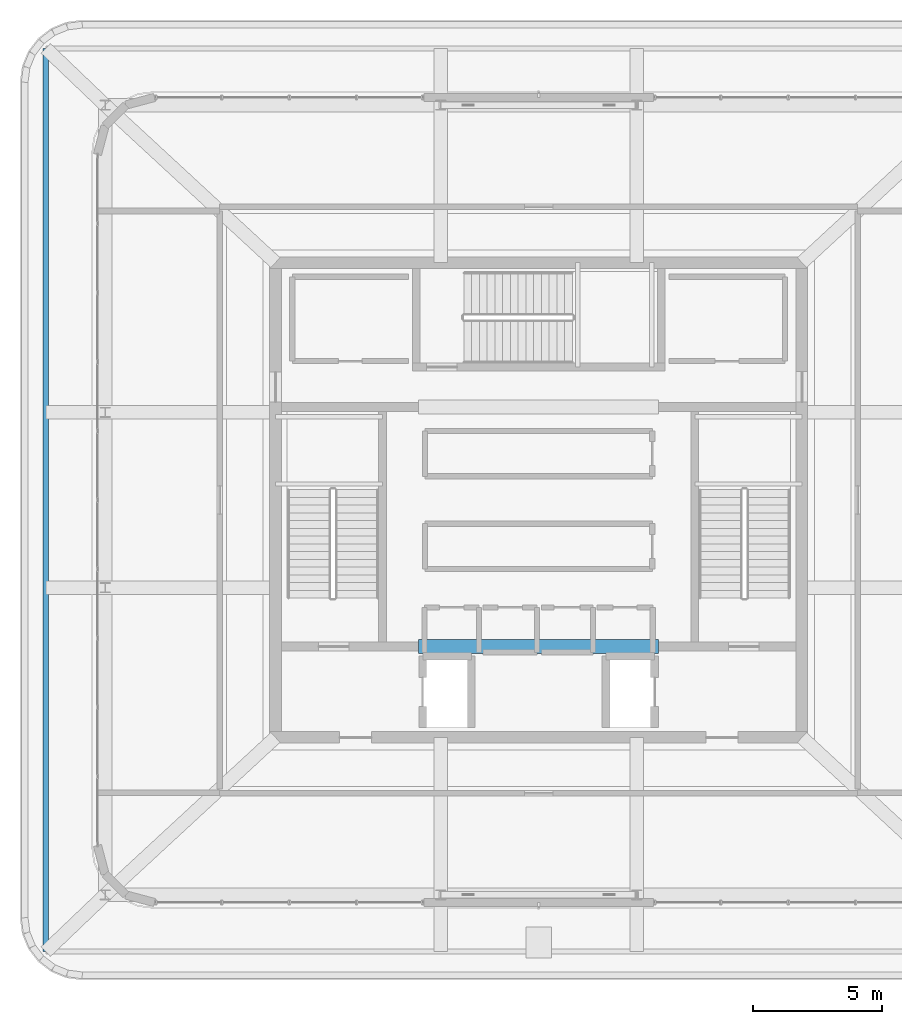
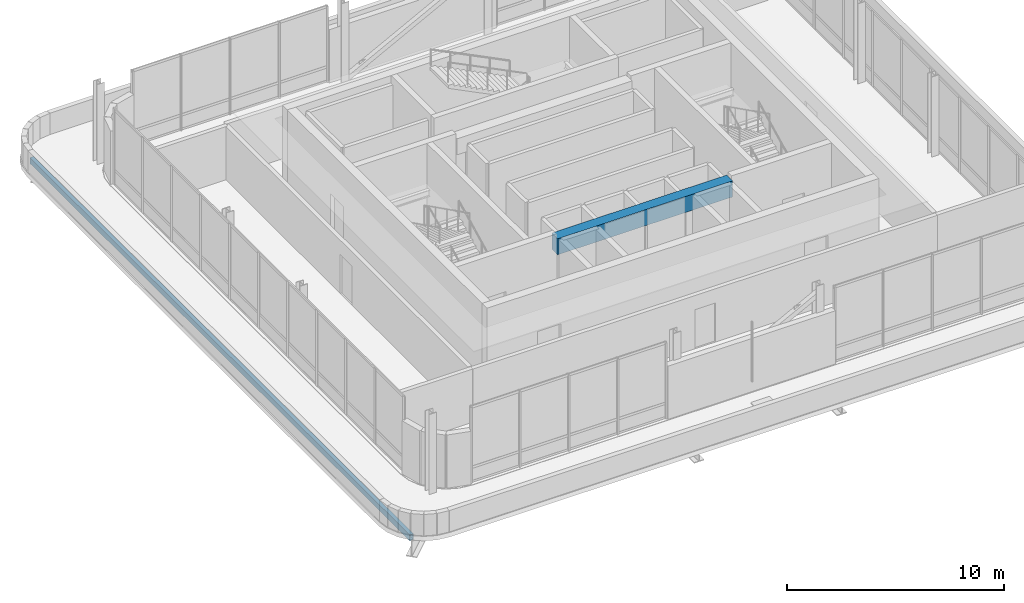
# One storey, part 6 of 28: 2 beams.
"""IFC4 building model written with IfcOpenShell, lengths in metres."""

from ifc_helpers import new_model, si_unit, direction, frame, origin, origin_2d, place, context, subcontext, project, spatial, rectangle, hollow_rectangle, extrude, material, material_profile, profile_set, type_object, element, save


model = new_model("IFC4")

# Units and contexts
model_context = context("Model", 3, precision=1e-05, world=origin(), true_north=direction((0.0, 1.0)))
body_context = subcontext(model_context, "Body", "Model", "MODEL_VIEW")
ifc_project = project(units=[si_unit("LENGTHUNIT", "METRE"), si_unit("AREAUNIT", "SQUARE_METRE"), si_unit("VOLUMEUNIT", "CUBIC_METRE"), si_unit("PLANEANGLEUNIT", "RADIAN"), si_unit("MASSUNIT", "GRAM", prefix="KILO")], contexts=[model_context])

# Site, building, storey
site_placement = place(None, origin())
site = spatial("IfcSite", under=ifc_project, at=site_placement, CompositionType="ELEMENT")
building_placement = place(site_placement, origin())
building = spatial("IfcBuilding", under=site, at=building_placement, Name="Punatoya Terracotta Tower", CompositionType="ELEMENT")
storey_placement = place(building_placement, frame((0.0, 0.0, 352.800048828125)))
storey = spatial("IfcBuildingStorey", under=building, at=storey_placement, Name="L83", CompositionType="ELEMENT", Elevation=352.800048828125)

# Beams
ifc_material_1 = material(Name="Steel S355", Category="steel")
ifc_material_profile_1 = material_profile(ifc_material_1, hollow_rectangle(XDim=0.199951171875, YDim=0.320068359375, WallThickness=0.01611328125, at=origin_2d()))
ifc_profile_set_1 = profile_set([ifc_material_profile_1], Name="Steel S355")
beam_type_1 = type_object("IfcBeamType", Name="BM-CRN-320", PredefinedType="BEAM", material=ifc_profile_set_1)
beam_1_placement = place(storey_placement, frame((-19.10009765625, -17.5, -0.43994140625), z_axis=(0.0, 1.0, 0.0), x_axis=(-1.0, 0.0, 0.0)))
element("IfcBeam", 1, at=beam_1_placement, inside=storey, type_object=beam_type_1, Name="BM-L83-OW", PredefinedType="BEAM", context=body_context, shape_type="SweptSolid", body=[
    extrude(hollow_rectangle(XDim=0.199951171875, YDim=0.320068359375, WallThickness=0.01611328125, at=origin_2d()), origin(), (0.0, 0.0, 1.0), 35.0),
])
ifc_material_2 = material(Name="Concrete C50/60", Category="concrete")
ifc_material_profile_2 = material_profile(ifc_material_2, rectangle(XDim=0.550048828125, YDim=0.89990234375, at=origin_2d()))
ifc_profile_set_2 = profile_set([ifc_material_profile_2], Name="Concrete C50/60")
beam_type_2 = type_object("IfcBeamType", Name="BM-RC-900", PredefinedType="LINTEL", material=ifc_profile_set_2)
beam_2_placement = place(storey_placement, frame((-4.64990234375, -5.679931640625, 3.829833984375), z_axis=(1.0, 0.0, 0.0), x_axis=(0.0, 1.0, 0.0)))
element("IfcBeam", 2, at=beam_2_placement, inside=storey, type_object=beam_type_2, Name="L83 Core Coupling Lintel CSW", PredefinedType="LINTEL", context=body_context, shape_type="SweptSolid", body=[
    extrude(rectangle(XDim=0.550048828125, YDim=0.89990234375, at=origin_2d()), origin(), (0.0, 0.0, 1.0), 9.2998046875),
])

save(model, "model.ifc")
